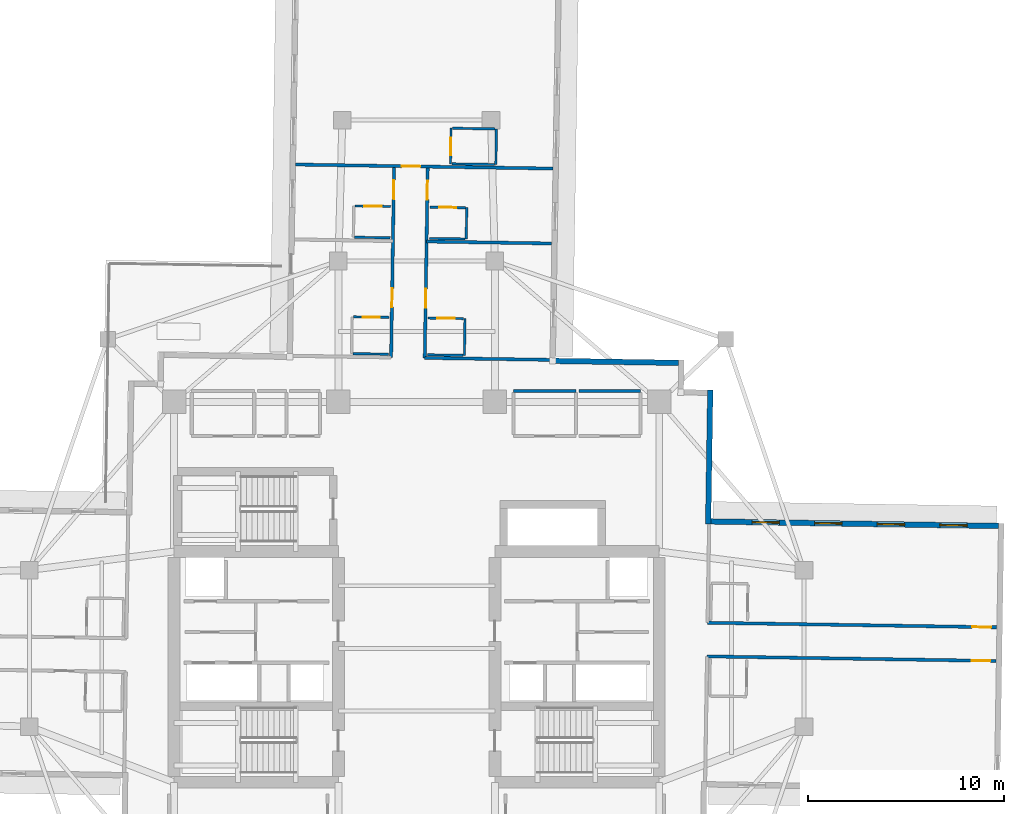
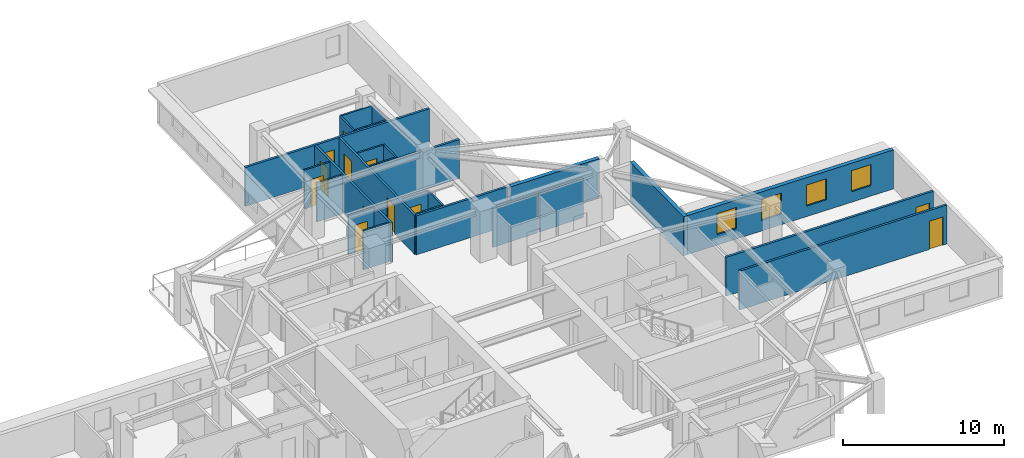
# One storey, part 7 of 13: 26 walls, 12 doors, 4 windows, 16 openings.
"""IFC4 building model written with IfcOpenShell, lengths in metres."""

from ifc_helpers import new_model, si_unit, direction, frame, frame_2d, origin, place, context, subcontext, project, spatial, rectangle, extrude, material, layer, layer_set, type_object, element, fill, save


model = new_model("IFC4")

# Units and contexts
model_context = context("Model", 3, precision=1e-05, world=origin(), true_north=direction((0.0, 1.0)))
body_context = subcontext(model_context, "Body", "Model", "MODEL_VIEW")
ifc_project = project(units=[si_unit("LENGTHUNIT", "METRE"), si_unit("AREAUNIT", "SQUARE_METRE"), si_unit("VOLUMEUNIT", "CUBIC_METRE"), si_unit("PLANEANGLEUNIT", "RADIAN"), si_unit("MASSUNIT", "GRAM", prefix="KILO")], contexts=[model_context])

# Site, building, storey
site_placement = place(None, origin())
site = spatial("IfcSite", under=ifc_project, at=site_placement, CompositionType="ELEMENT")
building_placement = place(site_placement, origin())
building = spatial("IfcBuilding", under=site, at=building_placement, Name="Qingluan Cross Belvedere", CompositionType="ELEMENT")
storey_placement = place(building_placement, frame((0.0, 0.0, 148.800048828125)))
storey = spatial("IfcBuildingStorey", under=building, at=storey_placement, Name="L37", CompositionType="ELEMENT", Elevation=148.800048828125)

# Walls
ifc_material_1 = material(Name="Gypsum plasterboard on steel stud acoustic partition", Category="steel")
ifc_layer_1 = layer(ifc_material_1, 0.159912109375, Name="CorridorPartition_160")
ifc_layer_set_1 = layer_set([ifc_layer_1], Name="Gypsum plasterboard on steel stud acoustic partition")
wall_type_1 = type_object("IfcWallType", Name="CorridorPartition_160", PredefinedType="PARTITIONING", material=ifc_layer_set_1)
wall_1_placement = place(storey_placement, frame((4.949951171875, 13.14990234375, 0.0), z_axis=(0.0, 0.0, 1.0), x_axis=(1.0, 0.0, 0.0)))
element("IfcWall", 1, at=wall_1_placement, inside=storey, type_object=wall_type_1, Name="Partition L37:q_ne1:N", PredefinedType="PARTITIONING", context=body_context, shape_type="SweptSolid", body=[
    extrude(rectangle(XDim=3.199951171875, YDim=0.159912109375, at=frame_2d((1.60009765625, 0.0))), origin(), (0.0, 0.0, 1.0), 2.9599609375),
])
wall_2_placement = place(storey_placement, frame((8.31005859375, 13.14990234375, 0.0), z_axis=(0.0, 0.0, 1.0), x_axis=(1.0, 0.0, 0.0)))
element("IfcWall", 2, at=wall_2_placement, inside=storey, type_object=wall_type_1, Name="Partition L37:q_ne2:N", PredefinedType="PARTITIONING", context=body_context, shape_type="SweptSolid", body=[
    extrude(rectangle(XDim=3.139892578125, YDim=0.159912109375, at=frame_2d((1.56982421875, 0.0))), origin(), (0.0, 0.0, 1.0), 2.9599609375),
])

# Wall, opening, door
wall_3_placement = place(storey_placement, frame((14.872314453125, 1.306640625, 0.0), z_axis=(0.0, 0.0, 1.0), x_axis=(0.999876382905, -0.015723196507, 0.0)))
wall_3 = element("IfcWall", 3, at=wall_3_placement, inside=storey, type_object=wall_type_1, Name="Partition L37:E:c0", PredefinedType="PARTITIONING", context=body_context, shape_type="SweptSolid", body=[
    extrude(rectangle(XDim=14.781982421875, YDim=0.159912109375, at=frame_2d((7.39111328125, 0.0))), origin(), (0.0, 0.0, 1.0), 2.9599609375),
])
opening_1_placement = place(wall_3_placement, frame((13.530029296875, 0.0, 0.0)))
opening_1 = element("IfcOpeningElement", 4, at=opening_1_placement, cuts=wall_3, Name="Opening GD-10", PredefinedType="OPENING", context=body_context, shape_type="SweptSolid", body=[
    extrude(rectangle(XDim=0.9599609375, YDim=2.14990234375, at=frame_2d((0.47998046875, 1.074951171875))), frame((0.0, 0.08984375, 0.0), z_axis=(0.0, -1.0, 0.0), x_axis=(1.0, 0.0, 0.0)), (0.0, 0.0, 1.0), 0.179931640625),
])
ifc_material_2 = material(Name="Timber oak fire-rated acoustic guestroom door", Category="wood")
door_type_1 = type_object("IfcDoorType", Name="GuestEntryDoor_FD60", OperationType="NOTDEFINED", PredefinedType="DOOR", material=ifc_material_2)
door_1_placement = place(opening_1_placement, origin())
door_1 = element("IfcDoor", 5, at=door_1_placement, inside=storey, type_object=door_type_1, Name="Guest entry fire door 3701", OperationType="SINGLE_SWING_RIGHT", OverallHeight=2.14990234375, OverallWidth=0.9599609375, PredefinedType="DOOR", context=body_context, shape_type="SweptSolid", body=[
    extrude(rectangle(XDim=0.9599609375, YDim=2.14990234375, at=frame_2d((0.47998046875, 1.074951171875))), frame((0.0, 0.02490234375, 0.0), z_axis=(0.0, -1.0, 0.0), x_axis=(1.0, 0.0, 0.0)), (0.0, 0.0, 1.0), 0.050048828125),
])
fill(opening_1, door_1)

wall_4_placement = place(storey_placement, frame((14.84521484375, -0.4130859375, 0.0), z_axis=(0.0, 0.0, 1.0), x_axis=(0.999876382905, -0.015723196507, 0.0)))
wall_4 = element("IfcWall", 6, at=wall_4_placement, inside=storey, type_object=wall_type_1, Name="Partition L37:E:c1", PredefinedType="PARTITIONING", context=body_context, shape_type="SweptSolid", body=[
    extrude(rectangle(XDim=14.781982421875, YDim=0.159912109375, at=frame_2d((7.39111328125, 0.0))), origin(), (0.0, 0.0, 1.0), 2.9599609375),
])
opening_2_placement = place(wall_4_placement, frame((13.530029296875, 0.0, 0.0)))
opening_2 = element("IfcOpeningElement", 7, at=opening_2_placement, cuts=wall_4, Name="Opening GD-10", PredefinedType="OPENING", context=body_context, shape_type="SweptSolid", body=[
    extrude(rectangle(XDim=0.9599609375, YDim=2.14990234375, at=frame_2d((0.47998046875, 1.074951171875))), frame((0.0, 0.08984375, 0.0), z_axis=(0.0, -1.0, 0.0), x_axis=(1.0, 0.0, 0.0)), (0.0, 0.0, 1.0), 0.179931640625),
])
door_2_placement = place(opening_2_placement, origin())
door_2 = element("IfcDoor", 8, at=door_2_placement, inside=storey, type_object=door_type_1, Name="Guest entry fire door 3702", OperationType="SINGLE_SWING_RIGHT", OverallHeight=2.14990234375, OverallWidth=0.9599609375, PredefinedType="DOOR", context=body_context, shape_type="SweptSolid", body=[
    extrude(rectangle(XDim=0.9599609375, YDim=2.14990234375, at=frame_2d((0.47998046875, 1.074951171875))), frame((0.0, 0.02490234375, 0.0), z_axis=(0.0, -1.0, 0.0), x_axis=(1.0, 0.0, 0.0)), (0.0, 0.0, 1.0), 0.050048828125),
])
fill(opening_2, door_2)

# Wall, openings, doors
wall_5_placement = place(storey_placement, frame((0.4130859375, 14.84521484375, 0.0), z_axis=(0.0, 0.0, 1.0), x_axis=(0.015730426869, 0.999876269181, 0.0)))
wall_5 = element("IfcWall", 9, at=wall_5_placement, inside=storey, type_object=wall_type_1, Name="Partition L37:N:c0", PredefinedType="PARTITIONING", context=body_context, shape_type="SweptSolid", body=[
    extrude(rectangle(XDim=9.7001953125, YDim=0.159912109375, at=frame_2d((4.85009765625, 0.0))), origin(), (0.0, 0.0, 1.0), 2.9599609375),
])
opening_3_placement = place(wall_5_placement, frame((2.574951171875, 0.0, 0.0)))
opening_3 = element("IfcOpeningElement", 10, at=opening_3_placement, cuts=wall_5, Name="Opening GD-10", PredefinedType="OPENING", context=body_context, shape_type="SweptSolid", body=[
    extrude(rectangle(XDim=0.9599609375, YDim=2.14990234375, at=frame_2d((0.47998046875, 1.074951171875))), frame((0.0, 0.08984375, 0.0), z_axis=(0.0, -1.0, 0.0), x_axis=(1.0, 0.0, 0.0)), (0.0, 0.0, 1.0), 0.179931640625),
])
opening_4_placement = place(wall_5_placement, frame((8.096923828125, 0.0, 0.0)))
opening_4 = element("IfcOpeningElement", 11, at=opening_4_placement, cuts=wall_5, Name="Opening GD-10", PredefinedType="OPENING", context=body_context, shape_type="SweptSolid", body=[
    extrude(rectangle(XDim=0.9599609375, YDim=2.14990234375, at=frame_2d((0.47998046875, 1.074951171875))), frame((0.0, 0.08984375, 0.0), z_axis=(0.0, -1.0, 0.0), x_axis=(1.0, 0.0, 0.0)), (0.0, 0.0, 1.0), 0.179931640625),
])
door_3_placement = place(opening_3_placement, origin())
door_3 = element("IfcDoor", 12, at=door_3_placement, inside=storey, type_object=door_type_1, Name="Guest entry fire door 3709", OperationType="SINGLE_SWING_RIGHT", OverallHeight=2.14990234375, OverallWidth=0.9599609375, PredefinedType="DOOR", context=body_context, shape_type="SweptSolid", body=[
    extrude(rectangle(XDim=0.9599609375, YDim=2.14990234375, at=frame_2d((0.47998046875, 1.074951171875))), frame((0.0, 0.02490234375, 0.0), z_axis=(0.0, -1.0, 0.0), x_axis=(1.0, 0.0, 0.0)), (0.0, 0.0, 1.0), 0.050048828125),
])
fill(opening_3, door_3)
door_4_placement = place(opening_4_placement, origin())
door_4 = element("IfcDoor", 13, at=door_4_placement, inside=storey, type_object=door_type_1, Name="Guest entry fire door 3710", OperationType="SINGLE_SWING_RIGHT", OverallHeight=2.14990234375, OverallWidth=0.9599609375, PredefinedType="DOOR", context=body_context, shape_type="SweptSolid", body=[
    extrude(rectangle(XDim=0.9599609375, YDim=2.14990234375, at=frame_2d((0.47998046875, 1.074951171875))), frame((0.0, 0.02490234375, 0.0), z_axis=(0.0, -1.0, 0.0), x_axis=(1.0, 0.0, 0.0)), (0.0, 0.0, 1.0), 0.050048828125),
])
fill(opening_4, door_4)

# Walls
wall_6_placement = place(storey_placement, frame((0.4130859375, 14.84521484375, 0.0), z_axis=(0.0, 0.0, 1.0), x_axis=(0.999877084909, -0.015678490784, 0.0)))
element("IfcWall", 14, at=wall_6_placement, inside=storey, type_object=wall_type_1, Name="Partition L37:N:s0", PredefinedType="PARTITIONING", context=body_context, shape_type="SweptSolid", body=[
    extrude(rectangle(XDim=6.5400390625, YDim=0.159912109375, at=frame_2d((3.27001953125, 0.0))), origin(), (0.0, 0.0, 1.0), 2.9599609375),
])
wall_7_placement = place(storey_placement, frame((0.506591796875, 20.794677734375, 0.0), z_axis=(0.0, 0.0, 1.0), x_axis=(0.999876183745, -0.015735856515, 0.0)))
element("IfcWall", 15, at=wall_7_placement, inside=storey, type_object=wall_type_1, Name="Partition L37:N:d0_0", PredefinedType="PARTITIONING", context=body_context, shape_type="SweptSolid", body=[
    extrude(rectangle(XDim=6.39208984375, YDim=0.159912109375, at=frame_2d((3.196044921875, 0.0))), origin(), (0.0, 0.0, 1.0), 2.9599609375),
])

# Wall, openings, doors
wall_8_placement = place(storey_placement, frame((-1.306640625, 14.872314453125, 0.0), z_axis=(0.0, 0.0, 1.0), x_axis=(0.015705264399, 0.999876664729, 0.0)))
wall_8 = element("IfcWall", 16, at=wall_8_placement, inside=storey, type_object=wall_type_1, Name="Partition L37:N:c1", PredefinedType="PARTITIONING", context=body_context, shape_type="SweptSolid", body=[
    extrude(rectangle(XDim=9.7001953125, YDim=0.159912109375, at=frame_2d((4.85009765625, 0.0))), origin(), (0.0, 0.0, 1.0), 2.9599609375),
])
opening_5_placement = place(wall_8_placement, frame((2.574951171875, 0.0, 0.0)))
opening_5 = element("IfcOpeningElement", 17, at=opening_5_placement, cuts=wall_8, Name="Opening GD-10", PredefinedType="OPENING", context=body_context, shape_type="SweptSolid", body=[
    extrude(rectangle(XDim=0.9599609375, YDim=2.14990234375, at=frame_2d((0.47998046875, 1.074951171875))), frame((0.0, 0.08984375, 0.0), z_axis=(0.0, -1.0, 0.0), x_axis=(1.0, 0.0, 0.0)), (0.0, 0.0, 1.0), 0.179931640625),
])
opening_6_placement = place(wall_8_placement, frame((8.096923828125, 0.0, 0.0)))
opening_6 = element("IfcOpeningElement", 18, at=opening_6_placement, cuts=wall_8, Name="Opening GD-10", PredefinedType="OPENING", context=body_context, shape_type="SweptSolid", body=[
    extrude(rectangle(XDim=0.9599609375, YDim=2.14990234375, at=frame_2d((0.47998046875, 1.074951171875))), frame((0.0, 0.08984375, 0.0), z_axis=(0.0, -1.0, 0.0), x_axis=(1.0, 0.0, 0.0)), (0.0, 0.0, 1.0), 0.179931640625),
])
door_5_placement = place(opening_5_placement, origin())
door_5 = element("IfcDoor", 19, at=door_5_placement, inside=storey, type_object=door_type_1, Name="Guest entry fire door 3711", OperationType="SINGLE_SWING_RIGHT", OverallHeight=2.14990234375, OverallWidth=0.9599609375, PredefinedType="DOOR", context=body_context, shape_type="SweptSolid", body=[
    extrude(rectangle(XDim=0.9599609375, YDim=2.14990234375, at=frame_2d((0.47998046875, 1.074951171875))), frame((0.0, 0.02490234375, 0.0), z_axis=(0.0, -1.0, 0.0), x_axis=(1.0, 0.0, 0.0)), (0.0, 0.0, 1.0), 0.050048828125),
])
fill(opening_5, door_5)
door_6_placement = place(opening_6_placement, origin())
door_6 = element("IfcDoor", 20, at=door_6_placement, inside=storey, type_object=door_type_1, Name="Guest entry fire door 3712", OperationType="SINGLE_SWING_RIGHT", OverallHeight=2.14990234375, OverallWidth=0.9599609375, PredefinedType="DOOR", context=body_context, shape_type="SweptSolid", body=[
    extrude(rectangle(XDim=0.9599609375, YDim=2.14990234375, at=frame_2d((0.47998046875, 1.074951171875))), frame((0.0, 0.02490234375, 0.0), z_axis=(0.0, -1.0, 0.0), x_axis=(1.0, 0.0, 0.0)), (0.0, 0.0, 1.0), 0.050048828125),
])
fill(opening_6, door_6)

# Wall, opening, door
wall_9_placement = place(storey_placement, frame((-6.184326171875, 24.730224609375, 0.0), z_axis=(0.0, 0.0, 1.0), x_axis=(0.999876528878, -0.015713911007, 0.0)))
wall_9 = element("IfcWall", 21, at=wall_9_placement, inside=storey, type_object=wall_type_1, Name="Partition L37:Ncap:in", PredefinedType="PARTITIONING", context=body_context, shape_type="SweptSolid", body=[
    extrude(rectangle(XDim=13.14404296875, YDim=0.159912109375, at=frame_2d((6.572021484375, 0.0))), origin(), (0.0, 0.0, 1.0), 2.9599609375),
])
opening_7_placement = place(wall_9_placement, frame((5.412109375, 0.0, 0.0)))
opening_7 = element("IfcOpeningElement", 22, at=opening_7_placement, cuts=wall_9, Name="Opening GD-10", PredefinedType="OPENING", context=body_context, shape_type="SweptSolid", body=[
    extrude(rectangle(XDim=0.9599609375, YDim=2.14990234375, at=frame_2d((0.47998046875, 1.074951171875))), frame((0.0, 0.08984375, 0.0), z_axis=(0.0, -1.0, 0.0), x_axis=(1.0, 0.0, 0.0)), (0.0, 0.0, 1.0), 0.179931640625),
])
door_7_placement = place(opening_7_placement, origin())
door_7 = element("IfcDoor", 23, at=door_7_placement, inside=storey, type_object=door_type_1, Name="Presidential suite entrance door L37N", OperationType="SINGLE_SWING_LEFT", OverallHeight=2.14990234375, OverallWidth=0.9599609375, PredefinedType="DOOR", context=body_context, shape_type="SweptSolid", body=[
    extrude(rectangle(XDim=0.9599609375, YDim=2.14990234375, at=frame_2d((0.47998046875, 1.074951171875))), frame((0.0, 0.02490234375, 0.0), z_axis=(0.0, -1.0, 0.0), x_axis=(1.0, 0.0, 0.0)), (0.0, 0.0, 1.0), 0.050048828125),
])
fill(opening_7, door_7)

ifc_material_3 = material(Name="Moisture-resistant gypsum board lining")
ifc_layer_2 = layer(ifc_material_3, 0.1201171875, Name="EnsuiteWetPartition_120")
ifc_layer_set_2 = layer_set([ifc_layer_2], Name="Moisture-resistant gypsum board lining")
wall_type_2 = type_object("IfcWallType", Name="EnsuiteWetPartition_120", PredefinedType="PARTITIONING", material=ifc_layer_set_2)
wall_10_placement = place(storey_placement, frame((0.585205078125, 16.8828125, 0.0), z_axis=(0.0, 0.0, 1.0), x_axis=(0.999876836305, -0.015694337248, 0.0)))
wall_10 = element("IfcWall", 24, at=wall_10_placement, inside=storey, type_object=wall_type_2, Name="Partition L37:N:bs0_0", PredefinedType="PARTITIONING", context=body_context, shape_type="SweptSolid", body=[
    extrude(rectangle(XDim=1.820068359375, YDim=0.1201171875, at=frame_2d((0.91015625, 0.0))), origin(), (0.0, 0.0, 1.0), 2.9599609375),
])
opening_8_placement = place(wall_10_placement, frame((0.469970703125, 0.0, 0.0)))
opening_8 = element("IfcOpeningElement", 25, at=opening_8_placement, cuts=wall_10, Name="Opening BD-09", PredefinedType="OPENING", context=body_context, shape_type="SweptSolid", body=[
    extrude(rectangle(XDim=0.8798828125, YDim=2.10009765625, at=frame_2d((0.43994140625, 1.050048828125))), frame((0.0, 0.070068359375, 0.0), z_axis=(0.0, -1.0, 0.0), x_axis=(1.0, 0.0, 0.0)), (0.0, 0.0, 1.0), 0.14013671875),
])
ifc_material_4 = material(Name="Moisture-sealed timber en-suite door", Category="wood")
door_type_2 = type_object("IfcDoorType", Name="BathroomDoor_880", OperationType="NOTDEFINED", PredefinedType="DOOR", material=ifc_material_4)
door_8_placement = place(opening_8_placement, origin())
door_8 = element("IfcDoor", 26, at=door_8_placement, inside=storey, type_object=door_type_2, Name="Bathroom door 3709", OperationType="SINGLE_SWING_LEFT", OverallHeight=2.10009765625, OverallWidth=0.8798828125, PredefinedType="DOOR", context=body_context, shape_type="SweptSolid", body=[
    extrude(rectangle(XDim=0.8798828125, YDim=2.10009765625, at=frame_2d((0.43994140625, 1.050048828125))), frame((0.0, 0.02490234375, 0.0), z_axis=(0.0, -1.0, 0.0), x_axis=(1.0, 0.0, 0.0)), (0.0, 0.0, 1.0), 0.050048828125),
])
fill(opening_8, door_8)

# Walls
wall_11_placement = place(storey_placement, frame((0.5556640625, 15.003173828125, 0.0), z_axis=(0.0, 0.0, 1.0), x_axis=(0.999876836305, -0.015694337248, 0.0)))
element("IfcWall", 27, at=wall_11_placement, inside=storey, type_object=wall_type_2, Name="Partition L37:N:bw0_0", PredefinedType="PARTITIONING", context=body_context, shape_type="SweptSolid", body=[
    extrude(rectangle(XDim=1.820068359375, YDim=0.1201171875, at=frame_2d((0.91015625, 0.0))), origin(), (0.0, 0.0, 1.0), 2.9599609375),
])
wall_12_placement = place(storey_placement, frame((2.4404296875, 14.973388671875, 0.0), z_axis=(0.0, 0.0, 1.0), x_axis=(0.01571234584, 0.999876553475, 0.0)))
element("IfcWall", 28, at=wall_12_placement, inside=storey, type_object=wall_type_2, Name="Partition L37:N:bn0_0", PredefinedType="PARTITIONING", context=body_context, shape_type="SweptSolid", body=[
    extrude(rectangle(XDim=1.880126953125, YDim=0.1201171875, at=frame_2d((0.93994140625, 0.0))), origin(), (0.0, 0.0, 1.0), 2.9599609375),
])

# Wall, opening, door
wall_13_placement = place(storey_placement, frame((0.67431640625, 22.55224609375, 0.0), z_axis=(0.0, 0.0, 1.0), x_axis=(0.999876836305, -0.015694337248, 0.0)))
wall_13 = element("IfcWall", 29, at=wall_13_placement, inside=storey, type_object=wall_type_2, Name="Partition L37:N:bs0_1", PredefinedType="PARTITIONING", context=body_context, shape_type="SweptSolid", body=[
    extrude(rectangle(XDim=1.820068359375, YDim=0.1201171875, at=frame_2d((0.91015625, 0.0))), origin(), (0.0, 0.0, 1.0), 2.9599609375),
])
opening_9_placement = place(wall_13_placement, frame((0.469970703125, 0.0, 0.0)))
opening_9 = element("IfcOpeningElement", 30, at=opening_9_placement, cuts=wall_13, Name="Opening BD-09", PredefinedType="OPENING", context=body_context, shape_type="SweptSolid", body=[
    extrude(rectangle(XDim=0.8798828125, YDim=2.10009765625, at=frame_2d((0.43994140625, 1.050048828125))), frame((0.0, 0.070068359375, 0.0), z_axis=(0.0, -1.0, 0.0), x_axis=(1.0, 0.0, 0.0)), (0.0, 0.0, 1.0), 0.14013671875),
])
door_9_placement = place(opening_9_placement, origin())
door_9 = element("IfcDoor", 31, at=door_9_placement, inside=storey, type_object=door_type_2, Name="Bathroom door 3710", OperationType="SINGLE_SWING_LEFT", OverallHeight=2.10009765625, OverallWidth=0.8798828125, PredefinedType="DOOR", context=body_context, shape_type="SweptSolid", body=[
    extrude(rectangle(XDim=0.8798828125, YDim=2.10009765625, at=frame_2d((0.43994140625, 1.050048828125))), frame((0.0, 0.02490234375, 0.0), z_axis=(0.0, -1.0, 0.0), x_axis=(1.0, 0.0, 0.0)), (0.0, 0.0, 1.0), 0.050048828125),
])
fill(opening_9, door_9)

# Walls
wall_14_placement = place(storey_placement, frame((0.649169921875, 20.952392578125, 0.0), z_axis=(0.0, 0.0, 1.0), x_axis=(0.999876836305, -0.015694337248, 0.0)))
element("IfcWall", 32, at=wall_14_placement, inside=storey, type_object=wall_type_2, Name="Partition L37:N:bw0_1", PredefinedType="PARTITIONING", context=body_context, shape_type="SweptSolid", body=[
    extrude(rectangle(XDim=1.820068359375, YDim=0.1201171875, at=frame_2d((0.91015625, 0.0))), origin(), (0.0, 0.0, 1.0), 2.9599609375),
])
wall_15_placement = place(storey_placement, frame((2.533935546875, 20.9228515625, 0.0), z_axis=(0.0, 0.0, 1.0), x_axis=(0.015716050513, 0.999876495251, 0.0)))
element("IfcWall", 33, at=wall_15_placement, inside=storey, type_object=wall_type_2, Name="Partition L37:N:bn0_1", PredefinedType="PARTITIONING", context=body_context, shape_type="SweptSolid", body=[
    extrude(rectangle(XDim=1.60009765625, YDim=0.1201171875, at=frame_2d((0.800048828125, 0.0))), origin(), (0.0, 0.0, 1.0), 2.9599609375),
])

# Wall, opening, door
wall_16_placement = place(storey_placement, frame((-3.234375, 16.94287109375, 0.0), z_axis=(0.0, 0.0, 1.0), x_axis=(0.999876836305, -0.015694337248, 0.0)))
wall_16 = element("IfcWall", 34, at=wall_16_placement, inside=storey, type_object=wall_type_2, Name="Partition L37:N:bs1_0", PredefinedType="PARTITIONING", context=body_context, shape_type="SweptSolid", body=[
    extrude(rectangle(XDim=1.820068359375, YDim=0.1201171875, at=frame_2d((0.91015625, 0.0))), origin(), (0.0, 0.0, 1.0), 2.9599609375),
])
opening_10_placement = place(wall_16_placement, frame((0.469970703125, 0.0, 0.0)))
opening_10 = element("IfcOpeningElement", 35, at=opening_10_placement, cuts=wall_16, Name="Opening BD-09", PredefinedType="OPENING", context=body_context, shape_type="SweptSolid", body=[
    extrude(rectangle(XDim=0.8798828125, YDim=2.10009765625, at=frame_2d((0.43994140625, 1.050048828125))), frame((0.0, 0.070068359375, 0.0), z_axis=(0.0, -1.0, 0.0), x_axis=(1.0, 0.0, 0.0)), (0.0, 0.0, 1.0), 0.14013671875),
])
door_10_placement = place(opening_10_placement, origin())
door_10 = element("IfcDoor", 36, at=door_10_placement, inside=storey, type_object=door_type_2, Name="Bathroom door 3711", OperationType="SINGLE_SWING_LEFT", OverallHeight=2.10009765625, OverallWidth=0.8798828125, PredefinedType="DOOR", context=body_context, shape_type="SweptSolid", body=[
    extrude(rectangle(XDim=0.8798828125, YDim=2.10009765625, at=frame_2d((0.43994140625, 1.050048828125))), frame((0.0, 0.02490234375, 0.0), z_axis=(0.0, -1.0, 0.0), x_axis=(1.0, 0.0, 0.0)), (0.0, 0.0, 1.0), 0.050048828125),
])
fill(opening_10, door_10)

# Wall
wall_17_placement = place(storey_placement, frame((-3.263916015625, 15.06298828125, 0.0), z_axis=(0.0, 0.0, 1.0), x_axis=(0.999876836305, -0.015694337248, 0.0)))
element("IfcWall", 37, at=wall_17_placement, inside=storey, type_object=wall_type_2, Name="Partition L37:N:bw1_0", PredefinedType="PARTITIONING", context=body_context, shape_type="SweptSolid", body=[
    extrude(rectangle(XDim=1.820068359375, YDim=0.1201171875, at=frame_2d((0.91015625, 0.0))), origin(), (0.0, 0.0, 1.0), 2.9599609375),
])

# Wall, opening, door
wall_18_placement = place(storey_placement, frame((-3.145263671875, 22.6123046875, 0.0), z_axis=(0.0, 0.0, 1.0), x_axis=(0.999874722342, -0.015828443418, 0.0)))
wall_18 = element("IfcWall", 38, at=wall_18_placement, inside=storey, type_object=wall_type_2, Name="Partition L37:N:bs1_1", PredefinedType="PARTITIONING", context=body_context, shape_type="SweptSolid", body=[
    extrude(rectangle(XDim=1.820068359375, YDim=0.1201171875, at=frame_2d((0.91015625, 0.0))), origin(), (0.0, 0.0, 1.0), 2.9599609375),
])
opening_11_placement = place(wall_18_placement, frame((0.469970703125, 0.0, 0.0)))
opening_11 = element("IfcOpeningElement", 39, at=opening_11_placement, cuts=wall_18, Name="Opening BD-09", PredefinedType="OPENING", context=body_context, shape_type="SweptSolid", body=[
    extrude(rectangle(XDim=0.8798828125, YDim=2.10009765625, at=frame_2d((0.43994140625, 1.050048828125))), frame((0.0, 0.070068359375, 0.0), z_axis=(0.0, -1.0, 0.0), x_axis=(1.0, 0.0, 0.0)), (0.0, 0.0, 1.0), 0.14013671875),
])
door_11_placement = place(opening_11_placement, origin())
door_11 = element("IfcDoor", 40, at=door_11_placement, inside=storey, type_object=door_type_2, Name="Bathroom door 3712", OperationType="SINGLE_SWING_LEFT", OverallHeight=2.10009765625, OverallWidth=0.8798828125, PredefinedType="DOOR", context=body_context, shape_type="SweptSolid", body=[
    extrude(rectangle(XDim=0.8798828125, YDim=2.10009765625, at=frame_2d((0.43994140625, 1.050048828125))), frame((0.0, 0.02490234375, 0.0), z_axis=(0.0, -1.0, 0.0), x_axis=(1.0, 0.0, 0.0)), (0.0, 0.0, 1.0), 0.050048828125),
])
fill(opening_11, door_11)

# Wall
wall_19_placement = place(storey_placement, frame((-3.17041015625, 21.012451171875, 0.0), z_axis=(0.0, 0.0, 1.0), x_axis=(0.999876836305, -0.015694337248, 0.0)))
element("IfcWall", 41, at=wall_19_placement, inside=storey, type_object=wall_type_2, Name="Partition L37:N:bw1_1", PredefinedType="PARTITIONING", context=body_context, shape_type="SweptSolid", body=[
    extrude(rectangle(XDim=1.820068359375, YDim=0.1201171875, at=frame_2d((0.91015625, 0.0))), origin(), (0.0, 0.0, 1.0), 2.9599609375),
])

# Wall, opening, door
wall_20_placement = place(storey_placement, frame((1.729248046875, 24.765869140625, 0.0), z_axis=(0.0, 0.0, 1.0), x_axis=(0.015694337248, 0.999876836305, 0.0)))
wall_20 = element("IfcWall", 42, at=wall_20_placement, inside=storey, type_object=wall_type_2, Name="Partition L37:Ncap:bs", PredefinedType="PARTITIONING", context=body_context, shape_type="SweptSolid", body=[
    extrude(rectangle(XDim=1.820068359375, YDim=0.1201171875, at=frame_2d((0.91015625, 0.0))), origin(), (0.0, 0.0, 1.0), 2.9599609375),
])
opening_12_placement = place(wall_20_placement, frame((0.449951171875, 0.0, 0.0)))
opening_12 = element("IfcOpeningElement", 43, at=opening_12_placement, cuts=wall_20, Name="Opening BD-09", PredefinedType="OPENING", context=body_context, shape_type="SweptSolid", body=[
    extrude(rectangle(XDim=0.8798828125, YDim=2.10009765625, at=frame_2d((0.43994140625, 1.050048828125))), frame((0.0, 0.070068359375, 0.0), z_axis=(0.0, -1.0, 0.0), x_axis=(1.0, 0.0, 0.0)), (0.0, 0.0, 1.0), 0.14013671875),
])
door_12_placement = place(opening_12_placement, origin())
door_12 = element("IfcDoor", 44, at=door_12_placement, inside=storey, type_object=door_type_2, Name="En-suite bathroom door L37N", OperationType="SINGLE_SWING_RIGHT", OverallHeight=2.10009765625, OverallWidth=0.8798828125, PredefinedType="DOOR", context=body_context, shape_type="SweptSolid", body=[
    extrude(rectangle(XDim=0.8798828125, YDim=2.10009765625, at=frame_2d((0.43994140625, 1.050048828125))), frame((0.0, 0.02490234375, 0.0), z_axis=(0.0, -1.0, 0.0), x_axis=(1.0, 0.0, 0.0)), (0.0, 0.0, 1.0), 0.050048828125),
])
fill(opening_12, door_12)

# Walls
wall_21_placement = place(storey_placement, frame((4.048828125, 24.7294921875, 0.0), z_axis=(0.0, 0.0, 1.0), x_axis=(0.015694337248, 0.999876836305, 0.0)))
element("IfcWall", 45, at=wall_21_placement, inside=storey, type_object=wall_type_2, Name="Partition L37:Ncap:bb", PredefinedType="PARTITIONING", context=body_context, shape_type="SweptSolid", body=[
    extrude(rectangle(XDim=1.820068359375, YDim=0.1201171875, at=frame_2d((0.91015625, 0.0))), origin(), (0.0, 0.0, 1.0), 2.9599609375),
])
for number, where, z_axis, x_axis, name in (
    (46, (1.79931640625, 24.764892578125, 0.0), (0.0, 0.0, 1.0), (0.999877075733, -0.015679076008, 0.0), "Partition L37:Ncap:ba"),
    (47, (1.827880859375, 26.584716796875, 0.0), (0.0, 0.0, 1.0), (0.99987531373, -0.015791041581, 0.0), "Partition L37:Ncap:bn"),
):
    element("IfcWall", number, at=place(storey_placement, frame(where, z_axis=z_axis, x_axis=x_axis)), inside=storey, type_object=wall_type_2, Name=name, PredefinedType="PARTITIONING", context=body_context, shape_type="SweptSolid", body=[
        extrude(rectangle(XDim=2.179931640625, YDim=0.1201171875, at=frame_2d((1.08984375, 0.0))), origin(), (0.0, 0.0, 1.0), 2.9599609375),
    ])

# Wall, openings, windows
ifc_material_5 = material(Name="Precast concrete C45", Category="concrete")
ifc_layer_3 = layer(ifc_material_5, 0.280029296875, Name="PrecastFacadeWall_280")
ifc_layer_set_3 = layer_set([ifc_layer_3], Name="Precast concrete C45")
wall_type_3 = type_object("IfcWallType", Name="PrecastFacadeWall_280", PredefinedType="STANDARD", material=ifc_layer_set_3)
wall_22_placement = place(storey_placement, frame((29.741943359375, 6.253662109375, 0.0), z_axis=(0.0, 0.0, 1.0), x_axis=(-0.999876569875, 0.015711302158, 0.0)))
wall_22 = element("IfcWall", 48, at=wall_22_placement, inside=storey, type_object=wall_type_3, Name="Facade wall L37-EB", PredefinedType="STANDARD", context=body_context, shape_type="SweptSolid", body=[
    extrude(rectangle(XDim=14.699951171875, YDim=0.280029296875, at=frame_2d((7.35009765625, 0.0))), origin(), (0.0, 0.0, 1.0), 2.969970703125),
])
opening_13_placement = place(wall_22_placement, frame((1.60009765625, 0.0, 0.800048828125)))
opening_13 = element("IfcOpeningElement", 49, at=opening_13_placement, cuts=wall_22, Name="Opening W-01", PredefinedType="OPENING", context=body_context, shape_type="SweptSolid", body=[
    extrude(rectangle(XDim=1.39990234375, YDim=1.60009765625, at=frame_2d((0.699951171875, 0.800048828125))), frame((0.0, 0.14990234375, 0.0), z_axis=(0.0, -1.0, 0.0), x_axis=(1.0, 0.0, 0.0)), (0.0, 0.0, 1.0), 0.300048828125),
])
opening_14_placement = place(wall_22_placement, frame((4.800048828125, 0.0, 0.800048828125)))
opening_14 = element("IfcOpeningElement", 50, at=opening_14_placement, cuts=wall_22, Name="Opening W-01", PredefinedType="OPENING", context=body_context, shape_type="SweptSolid", body=[
    extrude(rectangle(XDim=1.39990234375, YDim=1.60009765625, at=frame_2d((0.699951171875, 0.800048828125))), frame((0.0, 0.14990234375, 0.0), z_axis=(0.0, -1.0, 0.0), x_axis=(1.0, 0.0, 0.0)), (0.0, 0.0, 1.0), 0.300048828125),
])
opening_15_placement = place(wall_22_placement, frame((8.0, 0.0, 0.800048828125)))
opening_15 = element("IfcOpeningElement", 51, at=opening_15_placement, cuts=wall_22, Name="Opening W-01", PredefinedType="OPENING", context=body_context, shape_type="SweptSolid", body=[
    extrude(rectangle(XDim=1.39990234375, YDim=1.60009765625, at=frame_2d((0.699951171875, 0.800048828125))), frame((0.0, 0.14990234375, 0.0), z_axis=(0.0, -1.0, 0.0), x_axis=(1.0, 0.0, 0.0)), (0.0, 0.0, 1.0), 0.300048828125),
])
opening_16_placement = place(wall_22_placement, frame((11.199951171875, 0.0, 0.800048828125)))
opening_16 = element("IfcOpeningElement", 52, at=opening_16_placement, cuts=wall_22, Name="Opening W-01", PredefinedType="OPENING", context=body_context, shape_type="SweptSolid", body=[
    extrude(rectangle(XDim=1.39990234375, YDim=1.60009765625, at=frame_2d((0.699951171875, 0.800048828125))), frame((0.0, 0.14990234375, 0.0), z_axis=(0.0, -1.0, 0.0), x_axis=(1.0, 0.0, 0.0)), (0.0, 0.0, 1.0), 0.300048828125),
])
ifc_material_6 = material(Name="Thermally broken triple Low-E glass in aluminium frame", Category="aluminium")
window_type = type_object("IfcWindowType", Name="TriRibbonWin_1400x1600", PartitioningType="SINGLE_PANEL", PredefinedType="WINDOW", material=ifc_material_6)
window_1_placement = place(opening_13_placement, origin())
window_1 = element("IfcWindow", 53, at=window_1_placement, inside=storey, type_object=window_type, Name="Ribbon window L37-EB-1", OverallHeight=1.60009765625, OverallWidth=1.39990234375, PartitioningType="SINGLE_PANEL", PredefinedType="WINDOW", context=body_context, shape_type="SweptSolid", body=[
    extrude(rectangle(XDim=1.39990234375, YDim=1.60009765625, at=frame_2d((0.699951171875, 0.800048828125))), frame((0.0, 0.030029296875, 0.0), z_axis=(0.0, -1.0, 0.0), x_axis=(1.0, 0.0, 0.0)), (0.0, 0.0, 1.0), 0.06005859375),
])
fill(opening_13, window_1)
window_2_placement = place(opening_14_placement, origin())
window_2 = element("IfcWindow", 54, at=window_2_placement, inside=storey, type_object=window_type, Name="Ribbon window L37-EB-2", OverallHeight=1.60009765625, OverallWidth=1.39990234375, PartitioningType="SINGLE_PANEL", PredefinedType="WINDOW", context=body_context, shape_type="SweptSolid", body=[
    extrude(rectangle(XDim=1.39990234375, YDim=1.60009765625, at=frame_2d((0.699951171875, 0.800048828125))), frame((0.0, 0.030029296875, 0.0), z_axis=(0.0, -1.0, 0.0), x_axis=(1.0, 0.0, 0.0)), (0.0, 0.0, 1.0), 0.06005859375),
])
fill(opening_14, window_2)
window_3_placement = place(opening_15_placement, origin())
window_3 = element("IfcWindow", 55, at=window_3_placement, inside=storey, type_object=window_type, Name="Ribbon window L37-EB-3", OverallHeight=1.60009765625, OverallWidth=1.39990234375, PartitioningType="SINGLE_PANEL", PredefinedType="WINDOW", context=body_context, shape_type="SweptSolid", body=[
    extrude(rectangle(XDim=1.39990234375, YDim=1.60009765625, at=frame_2d((0.699951171875, 0.800048828125))), frame((0.0, 0.030029296875, 0.0), z_axis=(0.0, -1.0, 0.0), x_axis=(1.0, 0.0, 0.0)), (0.0, 0.0, 1.0), 0.06005859375),
])
fill(opening_15, window_3)
window_4_placement = place(opening_16_placement, origin())
window_4 = element("IfcWindow", 56, at=window_4_placement, inside=storey, type_object=window_type, Name="Ribbon window L37-EB-4", OverallHeight=1.60009765625, OverallWidth=1.39990234375, PartitioningType="SINGLE_PANEL", PredefinedType="WINDOW", context=body_context, shape_type="SweptSolid", body=[
    extrude(rectangle(XDim=1.39990234375, YDim=1.60009765625, at=frame_2d((0.699951171875, 0.800048828125))), frame((0.0, 0.030029296875, 0.0), z_axis=(0.0, -1.0, 0.0), x_axis=(1.0, 0.0, 0.0)), (0.0, 0.0, 1.0), 0.06005859375),
])
fill(opening_16, window_4)

# Walls
wall_23_placement = place(storey_placement, frame((14.901611328125, 6.3466796875, 0.0), z_axis=(0.0, 0.0, 1.0), x_axis=(0.015694809807, 0.999876828887, 0.0)))
element("IfcWall", 57, at=wall_23_placement, inside=storey, type_object=wall_type_3, Name="Corner wall L37-NE1", PredefinedType="STANDARD", context=body_context, shape_type="SweptSolid", body=[
    extrude(rectangle(XDim=6.85986328125, YDim=0.280029296875, at=frame_2d((3.429931640625, 0.0))), origin(), (0.0, 0.0, 1.0), 2.969970703125),
])
wall_24_placement = place(storey_placement, frame((13.390869140625, 14.591552734375, 0.0), z_axis=(0.0, 0.0, 1.0), x_axis=(-0.999876833368, 0.015694524359, 0.0)))
element("IfcWall", 58, at=wall_24_placement, inside=storey, type_object=wall_type_3, Name="Corner wall L37-NE4", PredefinedType="STANDARD", context=body_context, shape_type="SweptSolid", body=[
    extrude(rectangle(XDim=6.300048828125, YDim=0.280029296875, at=frame_2d((3.14990234375, 0.0))), origin(), (0.0, 0.0, 1.0), 2.969970703125),
])

save(model, "model.ifc")
